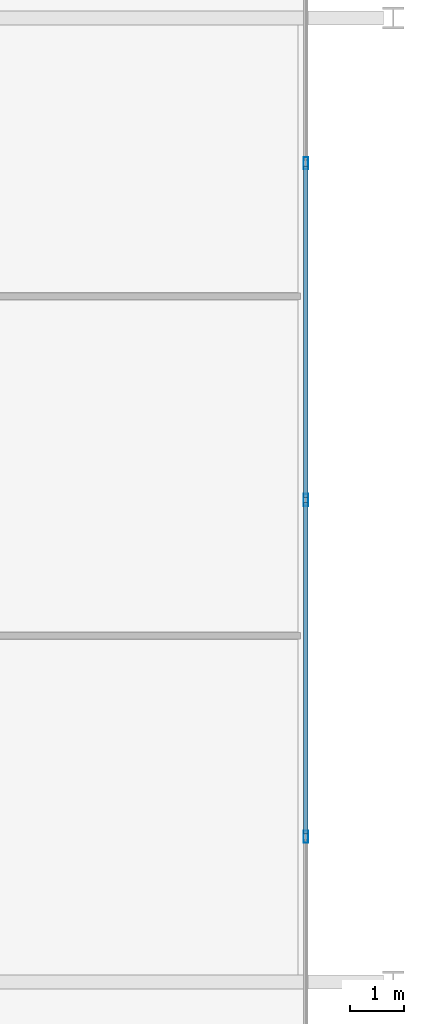
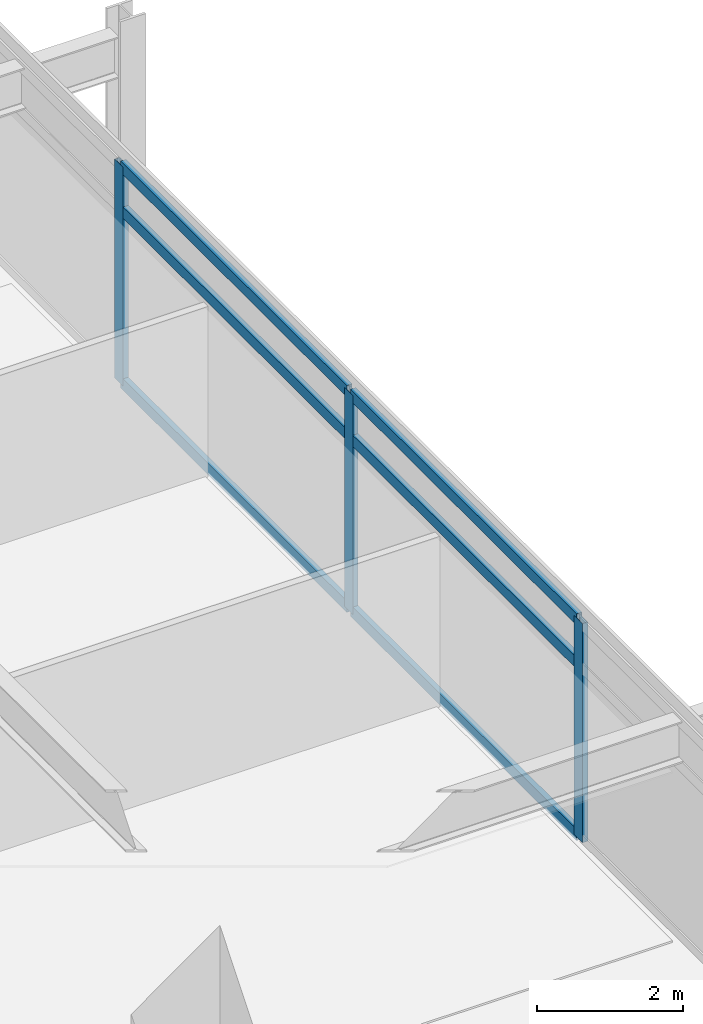
# One storey, part 4 of 22: 9 members, 1 element without a shape of its own.
"""IFC4 building model written with IfcOpenShell, lengths in metres."""

from ifc_helpers import new_model, si_unit, direction, frame, origin, origin_2d, place, context, subcontext, project, spatial, hollow_rectangle, extrude, material, material_profile, profile_set, type_object, element, aggregate, save


model = new_model("IFC4")

# Units and contexts
model_context = context("Model", 3, precision=1e-05, world=origin(), true_north=direction((0.0, 1.0)))
body_context = subcontext(model_context, "Body", "Model", "MODEL_VIEW")
ifc_project = project(units=[si_unit("LENGTHUNIT", "METRE"), si_unit("AREAUNIT", "SQUARE_METRE"), si_unit("VOLUMEUNIT", "CUBIC_METRE"), si_unit("PLANEANGLEUNIT", "RADIAN"), si_unit("MASSUNIT", "GRAM", prefix="KILO")], contexts=[model_context])

# Site, building, storey
site_placement = place(None, origin())
site = spatial("IfcSite", under=ifc_project, at=site_placement, CompositionType="ELEMENT")
building_placement = place(site_placement, origin())
building = spatial("IfcBuilding", under=site, at=building_placement, Name="Kovane Verandah Tower", CompositionType="ELEMENT")
storey_placement = place(building_placement, frame((0.0, 0.0, 229.199951171875)))
storey = spatial("IfcBuildingStorey", under=building, at=storey_placement, Name="L53", CompositionType="ELEMENT", Elevation=229.199951171875)

# Curtain wall, members
ifc_material_1 = material(Name="Champagne Anodised Aluminium Frame with Low-E Clear Laminated Glass", Category="aluminium")
curtain_wall_type = type_object("IfcCurtainWallType", Name="CW-SYS-03-MID", PredefinedType="NOTDEFINED", material=ifc_material_1)
curtain_wall_placement = place(storey_placement, origin())
curtain_wall = element("IfcCurtainWall", 1, at=curtain_wall_placement, inside=storey, type_object=curtain_wall_type, Name="L53 E Unitised Curtain Wall", PredefinedType="NOTDEFINED")
ifc_material_2 = material(Name="Champagne Anodised Aluminium 6063-T6", Category="aluminium")
ifc_material_profile_1 = material_profile(ifc_material_2, hollow_rectangle(XDim=0.0849609375, YDim=0.22998046875, WallThickness=0.00390625, at=origin_2d()), Name="AL85x230x4")
ifc_profile_set_1 = profile_set([ifc_material_profile_1], Name="Champagne Anodised Aluminium 6063-T6")
member_type_1 = type_object("IfcMemberType", Name="CW-MUL-85x230", PredefinedType="MULLION", material=ifc_profile_set_1)
member_1_placement = place(storey_placement, frame((65.96923828125, 21.21337890625, 0.02001953125), z_axis=(0.0, 0.0, 1.0), x_axis=(1.0, 0.0, 0.0)))
member_1 = element("IfcMember", 2, at=member_1_placement, type_object=member_type_1, Name="L53 E Unitised Curtain Wall Mullion 3", PredefinedType="MULLION", context=body_context, shape_type="SweptSolid", body=[
    extrude(hollow_rectangle(XDim=0.0849609375, YDim=0.22998046875, WallThickness=0.00390625, at=origin_2d()), origin(), (0.0, 0.0, 1.0), 3.659912109375),
])
member_2_placement = place(storey_placement, frame((65.96923828125, 27.5, 0.02001953125), z_axis=(0.0, 0.0, 1.0), x_axis=(1.0, 0.0, 0.0)))
member_2 = element("IfcMember", 3, at=member_2_placement, type_object=member_type_1, Name="L53 E Unitised Curtain Wall Mullion 4", PredefinedType="MULLION", context=body_context, shape_type="SweptSolid", body=[
    extrude(hollow_rectangle(XDim=0.0849609375, YDim=0.22998046875, WallThickness=0.00390625, at=origin_2d()), origin(), (0.0, 0.0, 1.0), 3.659912109375),
])
member_3_placement = place(storey_placement, frame((65.96923828125, 33.78662109375, 0.02001953125), z_axis=(0.0, 0.0, 1.0), x_axis=(1.0, 0.0, 0.0)))
member_3 = element("IfcMember", 4, at=member_3_placement, type_object=member_type_1, Name="L53 E Unitised Curtain Wall Mullion 5", PredefinedType="MULLION", context=body_context, shape_type="SweptSolid", body=[
    extrude(hollow_rectangle(XDim=0.0849609375, YDim=0.22998046875, WallThickness=0.00390625, at=origin_2d()), origin(), (0.0, 0.0, 1.0), 3.659912109375),
])
ifc_material_profile_2 = material_profile(ifc_material_2, hollow_rectangle(XDim=0.0849609375, YDim=0.18994140625, WallThickness=0.00390625, at=origin_2d()), Name="AL85x190x4")
ifc_profile_set_2 = profile_set([ifc_material_profile_2], Name="Champagne Anodised Aluminium 6063-T6")
member_type_2 = type_object("IfcMemberType", Name="CW-TRN-85x190", PredefinedType="USERDEFINED", material=ifc_profile_set_2)
member_4_placement = place(storey_placement, frame((65.96923828125, 21.26318359375, 0.050048828125), z_axis=(0.0, 1.0, 0.0), x_axis=(-1.0, 0.0, 0.0)))
member_4 = element("IfcMember", 5, at=member_4_placement, type_object=member_type_2, Name="L53 E Unitised Curtain Wall Transom TB Bay 3", ObjectType="TRANSOM", PredefinedType="USERDEFINED", context=body_context, shape_type="SweptSolid", body=[
    extrude(hollow_rectangle(XDim=0.0849609375, YDim=0.18994140625, WallThickness=0.00390625, at=origin_2d()), origin(), (0.0, 0.0, 1.0), 6.186767578125),
])
member_5_placement = place(storey_placement, frame((65.96923828125, 21.26318359375, 2.920166015625), z_axis=(0.0, 1.0, 0.0), x_axis=(-1.0, 0.0, 0.0)))
member_5 = element("IfcMember", 6, at=member_5_placement, type_object=member_type_2, Name="L53 E Unitised Curtain Wall Transom TM Bay 3", ObjectType="TRANSOM", PredefinedType="USERDEFINED", context=body_context, shape_type="SweptSolid", body=[
    extrude(hollow_rectangle(XDim=0.0849609375, YDim=0.18994140625, WallThickness=0.00390625, at=origin_2d()), origin(), (0.0, 0.0, 1.0), 6.186767578125),
])
member_6_placement = place(storey_placement, frame((65.96923828125, 21.26318359375, 3.650146484375), z_axis=(0.0, 1.0, 0.0), x_axis=(-1.0, 0.0, 0.0)))
member_6 = element("IfcMember", 7, at=member_6_placement, type_object=member_type_2, Name="L53 E Unitised Curtain Wall Transom TT Bay 3", ObjectType="TRANSOM", PredefinedType="USERDEFINED", context=body_context, shape_type="SweptSolid", body=[
    extrude(hollow_rectangle(XDim=0.0849609375, YDim=0.18994140625, WallThickness=0.00390625, at=origin_2d()), origin(), (0.0, 0.0, 1.0), 6.186767578125),
])
member_7_placement = place(storey_placement, frame((65.96923828125, 27.550048828125, 0.050048828125), z_axis=(0.0, 1.0, 0.0), x_axis=(-1.0, 0.0, 0.0)))
member_7 = element("IfcMember", 8, at=member_7_placement, type_object=member_type_2, Name="L53 E Unitised Curtain Wall Transom TB Bay 4", ObjectType="TRANSOM", PredefinedType="USERDEFINED", context=body_context, shape_type="SweptSolid", body=[
    extrude(hollow_rectangle(XDim=0.0849609375, YDim=0.18994140625, WallThickness=0.00390625, at=origin_2d()), origin(), (0.0, 0.0, 1.0), 6.186767578125),
])
member_8_placement = place(storey_placement, frame((65.96923828125, 27.550048828125, 2.920166015625), z_axis=(0.0, 1.0, 0.0), x_axis=(-1.0, 0.0, 0.0)))
member_8 = element("IfcMember", 9, at=member_8_placement, type_object=member_type_2, Name="L53 E Unitised Curtain Wall Transom TM Bay 4", ObjectType="TRANSOM", PredefinedType="USERDEFINED", context=body_context, shape_type="SweptSolid", body=[
    extrude(hollow_rectangle(XDim=0.0849609375, YDim=0.18994140625, WallThickness=0.00390625, at=origin_2d()), origin(), (0.0, 0.0, 1.0), 6.186767578125),
])
member_9_placement = place(storey_placement, frame((65.96923828125, 27.550048828125, 3.650146484375), z_axis=(0.0, 1.0, 0.0), x_axis=(-1.0, 0.0, 0.0)))
member_9 = element("IfcMember", 10, at=member_9_placement, type_object=member_type_2, Name="L53 E Unitised Curtain Wall Transom TT Bay 4", ObjectType="TRANSOM", PredefinedType="USERDEFINED", context=body_context, shape_type="SweptSolid", body=[
    extrude(hollow_rectangle(XDim=0.0849609375, YDim=0.18994140625, WallThickness=0.00390625, at=origin_2d()), origin(), (0.0, 0.0, 1.0), 6.186767578125),
])
aggregate(curtain_wall, [member_1, member_2, member_3, member_4, member_5, member_6, member_7, member_8, member_9])

save(model, "model.ifc")
